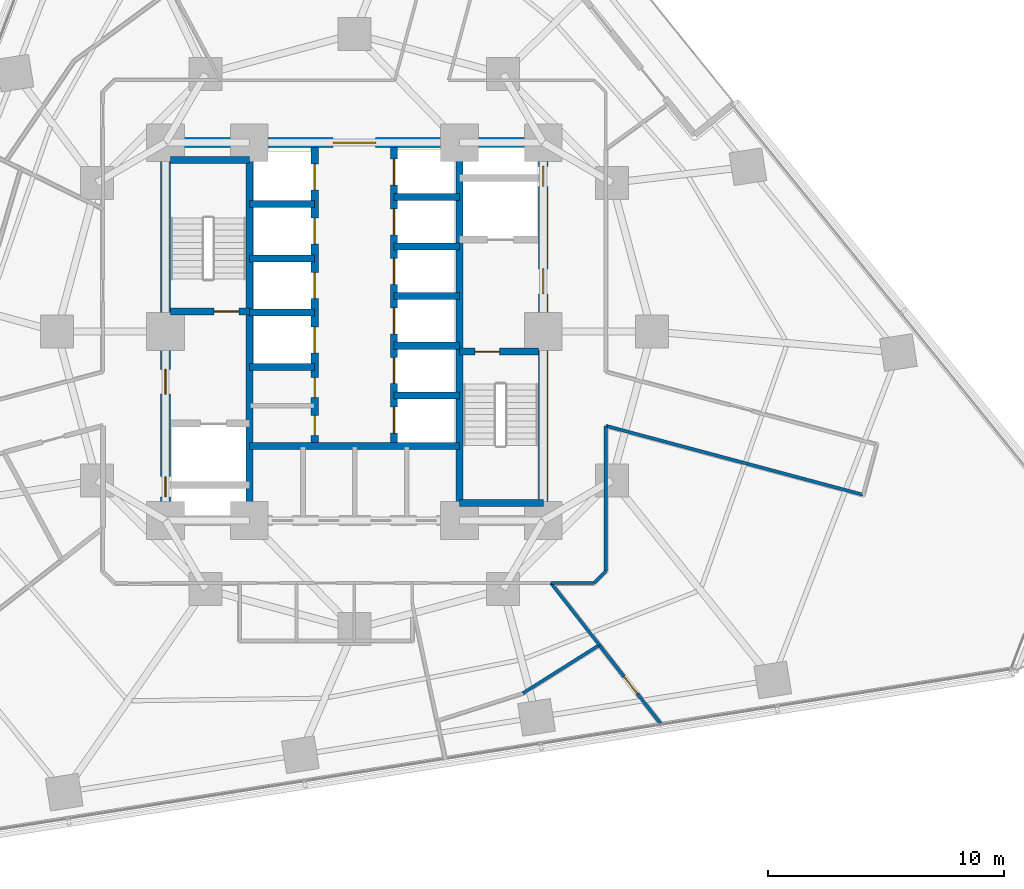
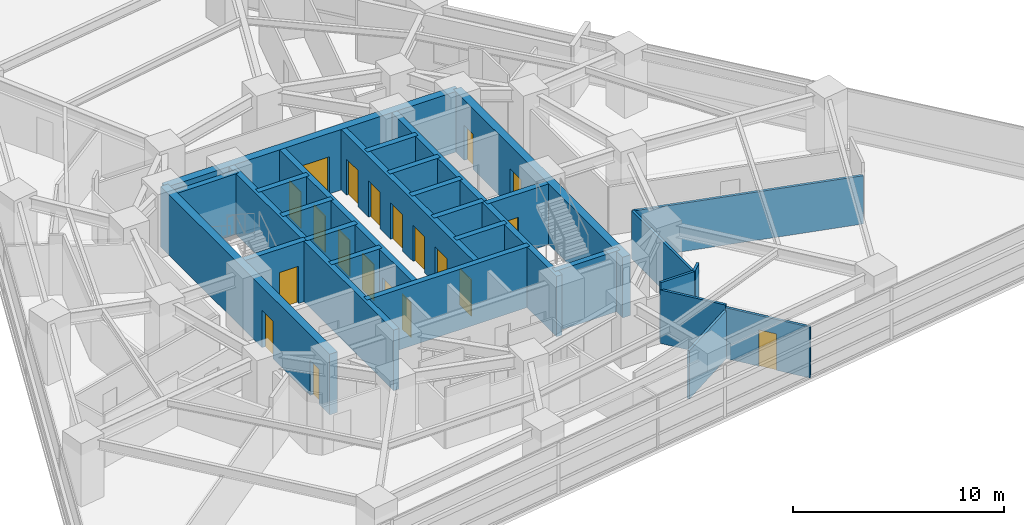
# One storey, part 8 of 13: 28 walls, 20 doors, 20 openings.
"""IFC4 building model written with IfcOpenShell, lengths in metres."""

from ifc_helpers import new_model, si_unit, direction, frame, frame_2d, origin, place, context, subcontext, project, spatial, rectangle, extrude, material, layer, layer_set, type_object, element, fill, save


model = new_model("IFC4")

# Units and contexts
model_context = context("Model", 3, precision=1e-05, world=origin(), true_north=direction((0.0, 1.0)))
body_context = subcontext(model_context, "Body", "Model", "MODEL_VIEW")
ifc_project = project(units=[si_unit("LENGTHUNIT", "METRE"), si_unit("AREAUNIT", "SQUARE_METRE"), si_unit("VOLUMEUNIT", "CUBIC_METRE"), si_unit("PLANEANGLEUNIT", "RADIAN"), si_unit("MASSUNIT", "GRAM", prefix="KILO")], contexts=[model_context])

# Site, building, storey
site_placement = place(None, origin())
site = spatial("IfcSite", under=ifc_project, at=site_placement, CompositionType="ELEMENT")
building_placement = place(site_placement, origin())
building = spatial("IfcBuilding", under=site, at=building_placement, Name="Terralouvre Media Tower", CompositionType="ELEMENT")
storey_placement = place(building_placement, frame((0.0, 0.0, 77.800048828125)))
storey = spatial("IfcBuildingStorey", under=building, at=storey_placement, Name="L19", CompositionType="ELEMENT", Elevation=77.800048828125)

# Walls
ifc_material_1 = material(Name="Concrete C50/60", Category="concrete")
ifc_layer_1 = layer(ifc_material_1, 0.300048828125, Name="Core Internal Shaft Wall CW-300")
ifc_layer_set_1 = layer_set([ifc_layer_1], Name="Concrete C50/60")
wall_type_1 = type_object("IfcWallType", Name="Core Internal Shaft Wall CW-300", PredefinedType="SHEAR", material=ifc_layer_set_1)
for number, where, z_axis, x_axis, name in (
    (1, (-4.449951171875, -7.7900390625, 0.0), (0.0, 0.0, 1.0), (0.0, 1.0, 0.0), "L19 Core Shaft Wall SPW"),
    (2, (4.449951171875, -7.7900390625, 0.0), (0.0, 0.0, 1.0), (0.0, 1.0, 0.0), "L19 Core Shaft Wall SPE"),
):
    element("IfcWall", number, at=place(storey_placement, frame(where, z_axis=z_axis, x_axis=x_axis)), inside=storey, type_object=wall_type_1, Name=name, PredefinedType="SHEAR", context=body_context, shape_type="SweptSolid", body=[
        extrude(rectangle(XDim=15.580078125, YDim=0.300048828125, at=frame_2d((7.7900390625, 0.0))), origin(), (0.0, 0.0, 1.0), 3.5),
    ])

# Wall, opening, door
wall_1_placement = place(storey_placement, frame((-7.7900390625, 0.85009765625, 0.0), z_axis=(0.0, 0.0, 1.0), x_axis=(1.0, 0.0, 0.0)))
wall_1 = element("IfcWall", 3, at=wall_1_placement, inside=storey, type_object=wall_type_1, Name="L19 Core Shaft Wall ST1D", PredefinedType="SHEAR", context=body_context, shape_type="SweptSolid", body=[
    extrude(rectangle(XDim=3.340087890625, YDim=0.300048828125, at=frame_2d((1.669921875, 0.0))), origin(), (0.0, 0.0, 1.0), 3.5),
])
opening_1_placement = place(wall_1_placement, frame((1.85009765625, 0.0, 0.0)))
opening_1 = element("IfcOpeningElement", 4, at=opening_1_placement, cuts=wall_1, Name="Opening FD-01-105X215", PredefinedType="OPENING", context=body_context, shape_type="SweptSolid", body=[
    extrude(rectangle(XDim=1.050048828125, YDim=2.14990234375, at=frame_2d((0.52490234375, 1.074951171875))), frame((0.0, 0.159912109375, 0.0), z_axis=(0.0, -1.0, 0.0), x_axis=(1.0, 0.0, 0.0)), (0.0, 0.0, 1.0), 0.320068359375),
])
ifc_material_2 = material(Name="Galvanised steel fire-resisting leaf", Category="steel")
door_type_1 = type_object("IfcDoorType", Name="Stair and Firefighting Lobby Fire Door FD-01 (1050x2150)", OperationType="NOTDEFINED", PredefinedType="DOOR", material=ifc_material_2)
door_1_placement = place(opening_1_placement, origin())
door_1 = element("IfcDoor", 5, at=door_1_placement, inside=storey, type_object=door_type_1, Name="L19 ST-01 Exit Stair Door", OperationType="SINGLE_SWING_LEFT", OverallHeight=2.14990234375, OverallWidth=1.050048828125, PredefinedType="DOOR", context=body_context, shape_type="SweptSolid", body=[
    extrude(rectangle(XDim=1.050048828125, YDim=2.14990234375, at=frame_2d((0.52490234375, 1.074951171875))), frame((0.0, 0.02490234375, 0.0), z_axis=(0.0, -1.0, 0.0), x_axis=(1.0, 0.0, 0.0)), (0.0, 0.0, 1.0), 0.050048828125),
])
fill(opening_1, door_1)

# Wall
wall_2_placement = place(storey_placement, frame((-7.7900390625, 7.260009765625, 0.0), z_axis=(0.0, 0.0, 1.0), x_axis=(1.0, 0.0, 0.0)))
element("IfcWall", 6, at=wall_2_placement, inside=storey, type_object=wall_type_1, Name="L19 Core Shaft Wall ST1F", PredefinedType="SHEAR", context=body_context, shape_type="SweptSolid", body=[
    extrude(rectangle(XDim=3.340087890625, YDim=0.300048828125, at=frame_2d((1.669921875, 0.0))), origin(), (0.0, 0.0, 1.0), 3.5),
])

# Wall, opening, door
wall_3_placement = place(storey_placement, frame((4.449951171875, -0.85009765625, 0.0), z_axis=(0.0, 0.0, 1.0), x_axis=(1.0, 0.0, 0.0)))
wall_3 = element("IfcWall", 7, at=wall_3_placement, inside=storey, type_object=wall_type_1, Name="L19 Core Shaft Wall ST2D", PredefinedType="SHEAR", context=body_context, shape_type="SweptSolid", body=[
    extrude(rectangle(XDim=3.340087890625, YDim=0.300048828125, at=frame_2d((1.669921875, 0.0))), origin(), (0.0, 0.0, 1.0), 3.5),
])
opening_2_placement = place(wall_3_placement, frame((0.64990234375, 0.0, 0.0)))
opening_2 = element("IfcOpeningElement", 8, at=opening_2_placement, cuts=wall_3, Name="Opening FD-01-105X215", PredefinedType="OPENING", context=body_context, shape_type="SweptSolid", body=[
    extrude(rectangle(XDim=1.050048828125, YDim=2.14990234375, at=frame_2d((0.52490234375, 1.074951171875))), frame((0.0, 0.159912109375, 0.0), z_axis=(0.0, -1.0, 0.0), x_axis=(1.0, 0.0, 0.0)), (0.0, 0.0, 1.0), 0.320068359375),
])
door_2_placement = place(opening_2_placement, origin())
door_2 = element("IfcDoor", 9, at=door_2_placement, inside=storey, type_object=door_type_1, Name="L19 ST-02 Exit Stair Door", OperationType="SINGLE_SWING_RIGHT", OverallHeight=2.14990234375, OverallWidth=1.050048828125, PredefinedType="DOOR", context=body_context, shape_type="SweptSolid", body=[
    extrude(rectangle(XDim=1.050048828125, YDim=2.14990234375, at=frame_2d((0.52490234375, 1.074951171875))), frame((0.0, 0.02490234375, 0.0), z_axis=(0.0, -1.0, 0.0), x_axis=(1.0, 0.0, 0.0)), (0.0, 0.0, 1.0), 0.050048828125),
])
fill(opening_2, door_2)

# Walls
wall_4_placement = place(storey_placement, frame((4.449951171875, -7.260009765625, 0.0), z_axis=(0.0, 0.0, 1.0), x_axis=(1.0, 0.0, 0.0)))
element("IfcWall", 10, at=wall_4_placement, inside=storey, type_object=wall_type_1, Name="L19 Core Shaft Wall ST2F", PredefinedType="SHEAR", context=body_context, shape_type="SweptSolid", body=[
    extrude(rectangle(XDim=3.550048828125, YDim=0.300048828125, at=frame_2d((1.77490234375, 0.0))), origin(), (0.0, 0.0, 1.0), 3.5),
])
wall_5_placement = place(storey_placement, frame((-4.449951171875, -4.85009765625, 0.0), z_axis=(0.0, 0.0, 1.0), x_axis=(1.0, 0.0, 0.0)))
element("IfcWall", 11, at=wall_5_placement, inside=storey, type_object=wall_type_1, Name="L19 Core Shaft Wall CSBN", PredefinedType="SHEAR", context=body_context, shape_type="SweptSolid", body=[
    extrude(rectangle(XDim=8.89990234375, YDim=0.300048828125, at=frame_2d((4.449951171875, 0.0))), origin(), (0.0, 0.0, 1.0), 3.5),
])

# Wall, openings, doors
wall_6_placement = place(storey_placement, frame((-1.679931640625, -4.85009765625, 0.0), z_axis=(0.0, 0.0, 1.0), x_axis=(0.0, 1.0, 0.0)))
wall_6 = element("IfcWall", 12, at=wall_6_placement, inside=storey, type_object=wall_type_1, Name="L19 Core Shaft Wall LBW", PredefinedType="SHEAR", context=body_context, shape_type="SweptSolid", body=[
    extrude(rectangle(XDim=12.64013671875, YDim=0.300048828125, at=frame_2d((6.320068359375, 0.0))), origin(), (0.0, 0.0, 1.0), 3.5),
])
opening_3_placement = place(wall_6_placement, frame((3.949951171875, 0.0, 0.0)))
opening_3 = element("IfcOpeningElement", 13, at=opening_3_placement, cuts=wall_6, Name="Opening LD-PL", PredefinedType="OPENING", context=body_context, shape_type="SweptSolid", body=[
    extrude(rectangle(XDim=1.10009765625, YDim=2.10009765625, at=frame_2d((0.550048828125, 1.050048828125))), frame((0.0, 0.159912109375, 0.0), z_axis=(0.0, -1.0, 0.0), x_axis=(1.0, 0.0, 0.0)), (0.0, 0.0, 1.0), 0.320068359375),
])
opening_4_placement = place(wall_6_placement, frame((6.25, 0.0, 0.0)))
opening_4 = element("IfcOpeningElement", 14, at=opening_4_placement, cuts=wall_6, Name="Opening LD-PL", PredefinedType="OPENING", context=body_context, shape_type="SweptSolid", body=[
    extrude(rectangle(XDim=1.10009765625, YDim=2.10009765625, at=frame_2d((0.550048828125, 1.050048828125))), frame((0.0, 0.159912109375, 0.0), z_axis=(0.0, -1.0, 0.0), x_axis=(1.0, 0.0, 0.0)), (0.0, 0.0, 1.0), 0.320068359375),
])
opening_5_placement = place(wall_6_placement, frame((8.550048828125, 0.0, 0.0)))
opening_5 = element("IfcOpeningElement", 15, at=opening_5_placement, cuts=wall_6, Name="Opening LD-PL", PredefinedType="OPENING", context=body_context, shape_type="SweptSolid", body=[
    extrude(rectangle(XDim=1.10009765625, YDim=2.10009765625, at=frame_2d((0.550048828125, 1.050048828125))), frame((0.0, 0.159912109375, 0.0), z_axis=(0.0, -1.0, 0.0), x_axis=(1.0, 0.0, 0.0)), (0.0, 0.0, 1.0), 0.320068359375),
])
opening_6_placement = place(wall_6_placement, frame((10.85009765625, 0.0, 0.0)))
opening_6 = element("IfcOpeningElement", 16, at=opening_6_placement, cuts=wall_6, Name="Opening LD-PL", PredefinedType="OPENING", context=body_context, shape_type="SweptSolid", body=[
    extrude(rectangle(XDim=1.10009765625, YDim=2.10009765625, at=frame_2d((0.550048828125, 1.050048828125))), frame((0.0, 0.159912109375, 0.0), z_axis=(0.0, -1.0, 0.0), x_axis=(1.0, 0.0, 0.0)), (0.0, 0.0, 1.0), 0.320068359375),
])
opening_7_placement = place(wall_6_placement, frame((0.449951171875, 0.0, 0.0)))
opening_7 = element("IfcOpeningElement", 17, at=opening_7_placement, cuts=wall_6, Name="Opening TD-R1", PredefinedType="OPENING", context=body_context, shape_type="SweptSolid", body=[
    extrude(rectangle(XDim=0.85009765625, YDim=2.02001953125, at=frame_2d((0.425048828125, 1.010009765625))), frame((0.0, 0.159912109375, 0.0), z_axis=(0.0, -1.0, 0.0), x_axis=(1.0, 0.0, 0.0)), (0.0, 0.0, 1.0), 0.320068359375),
])
opening_8_placement = place(wall_6_placement, frame((2.050048828125, 0.0, 0.0)))
opening_8 = element("IfcOpeningElement", 18, at=opening_8_placement, cuts=wall_6, Name="Opening TD-R1", PredefinedType="OPENING", context=body_context, shape_type="SweptSolid", body=[
    extrude(rectangle(XDim=0.85009765625, YDim=2.02001953125, at=frame_2d((0.425048828125, 1.010009765625))), frame((0.0, 0.159912109375, 0.0), z_axis=(0.0, -1.0, 0.0), x_axis=(1.0, 0.0, 0.0)), (0.0, 0.0, 1.0), 0.320068359375),
])
ifc_material_3 = material(Name="Stainless steel 316 handrail and balustrade", Category="steel")
door_type_2 = type_object("IfcDoorType", Name="Passenger Lift Sliding Landing Door LD-PL", OperationType="SLIDING_TO_LEFT", PredefinedType="DOOR", material=ifc_material_3)
door_3_placement = place(opening_3_placement, origin())
door_3 = element("IfcDoor", 19, at=door_3_placement, inside=storey, type_object=door_type_2, Name="L19 Low-Rise Lift PL-L1 Landing Door", OperationType="SLIDING_TO_LEFT", OverallHeight=2.10009765625, OverallWidth=1.10009765625, PredefinedType="DOOR", context=body_context, shape_type="SweptSolid", body=[
    extrude(rectangle(XDim=1.10009765625, YDim=2.10009765625, at=frame_2d((0.550048828125, 1.050048828125))), frame((0.0, 0.02490234375, 0.0), z_axis=(0.0, -1.0, 0.0), x_axis=(1.0, 0.0, 0.0)), (0.0, 0.0, 1.0), 0.050048828125),
])
fill(opening_3, door_3)
door_4_placement = place(opening_4_placement, origin())
door_4 = element("IfcDoor", 20, at=door_4_placement, inside=storey, type_object=door_type_2, Name="L19 Low-Rise Lift PL-L2 Landing Door", OperationType="SLIDING_TO_LEFT", OverallHeight=2.10009765625, OverallWidth=1.10009765625, PredefinedType="DOOR", context=body_context, shape_type="SweptSolid", body=[
    extrude(rectangle(XDim=1.10009765625, YDim=2.10009765625, at=frame_2d((0.550048828125, 1.050048828125))), frame((0.0, 0.02490234375, 0.0), z_axis=(0.0, -1.0, 0.0), x_axis=(1.0, 0.0, 0.0)), (0.0, 0.0, 1.0), 0.050048828125),
])
fill(opening_4, door_4)
door_5_placement = place(opening_5_placement, origin())
door_5 = element("IfcDoor", 21, at=door_5_placement, inside=storey, type_object=door_type_2, Name="L19 Low-Rise Lift PL-L3 Landing Door", OperationType="SLIDING_TO_LEFT", OverallHeight=2.10009765625, OverallWidth=1.10009765625, PredefinedType="DOOR", context=body_context, shape_type="SweptSolid", body=[
    extrude(rectangle(XDim=1.10009765625, YDim=2.10009765625, at=frame_2d((0.550048828125, 1.050048828125))), frame((0.0, 0.02490234375, 0.0), z_axis=(0.0, -1.0, 0.0), x_axis=(1.0, 0.0, 0.0)), (0.0, 0.0, 1.0), 0.050048828125),
])
fill(opening_5, door_5)
door_6_placement = place(opening_6_placement, origin())
door_6 = element("IfcDoor", 22, at=door_6_placement, inside=storey, type_object=door_type_2, Name="L19 Low-Rise Lift PL-L4 Landing Door", OperationType="SLIDING_TO_LEFT", OverallHeight=2.10009765625, OverallWidth=1.10009765625, PredefinedType="DOOR", context=body_context, shape_type="SweptSolid", body=[
    extrude(rectangle(XDim=1.10009765625, YDim=2.10009765625, at=frame_2d((0.550048828125, 1.050048828125))), frame((0.0, 0.02490234375, 0.0), z_axis=(0.0, -1.0, 0.0), x_axis=(1.0, 0.0, 0.0)), (0.0, 0.0, 1.0), 0.050048828125),
])
fill(opening_6, door_6)
ifc_material_4 = material(Name="Galvanised steel fire-resisting leaf", Category="steel")
door_type_3 = type_object("IfcDoorType", Name="Riser Inspection Access Trapdoor TD-R1", OperationType="NOTDEFINED", PredefinedType="TRAPDOOR", material=ifc_material_4)
door_7_placement = place(opening_7_placement, origin())
door_7 = element("IfcDoor", 23, at=door_7_placement, inside=storey, type_object=door_type_3, Name="L19 Core Cleaners Closet Door", OperationType="SINGLE_SWING_LEFT", OverallHeight=2.02001953125, OverallWidth=0.85009765625, PredefinedType="TRAPDOOR", context=body_context, shape_type="SweptSolid", body=[
    extrude(rectangle(XDim=0.85009765625, YDim=2.02001953125, at=frame_2d((0.425048828125, 1.010009765625))), frame((0.0, 0.02490234375, 0.0), z_axis=(0.0, -1.0, 0.0), x_axis=(1.0, 0.0, 0.0)), (0.0, 0.0, 1.0), 0.050048828125),
])
fill(opening_7, door_7)
door_8_placement = place(opening_8_placement, origin())
door_8 = element("IfcDoor", 24, at=door_8_placement, inside=storey, type_object=door_type_3, Name="L19 Core Metering Closet Door", OperationType="SINGLE_SWING_RIGHT", OverallHeight=2.02001953125, OverallWidth=0.85009765625, PredefinedType="TRAPDOOR", context=body_context, shape_type="SweptSolid", body=[
    extrude(rectangle(XDim=0.85009765625, YDim=2.02001953125, at=frame_2d((0.425048828125, 1.010009765625))), frame((0.0, 0.02490234375, 0.0), z_axis=(0.0, -1.0, 0.0), x_axis=(1.0, 0.0, 0.0)), (0.0, 0.0, 1.0), 0.050048828125),
])
fill(opening_8, door_8)

wall_7_placement = place(storey_placement, frame((1.679931640625, -4.85009765625, 0.0), z_axis=(0.0, 0.0, 1.0), x_axis=(0.0, 1.0, 0.0)))
wall_7 = element("IfcWall", 25, at=wall_7_placement, inside=storey, type_object=wall_type_1, Name="L19 Core Shaft Wall LBE", PredefinedType="SHEAR", context=body_context, shape_type="SweptSolid", body=[
    extrude(rectangle(XDim=12.64013671875, YDim=0.300048828125, at=frame_2d((6.320068359375, 0.0))), origin(), (0.0, 0.0, 1.0), 3.5),
])
opening_9_placement = place(wall_7_placement, frame((0.550048828125, 0.0, 0.0)))
opening_9 = element("IfcOpeningElement", 26, at=opening_9_placement, cuts=wall_7, Name="Opening LD-PL", PredefinedType="OPENING", context=body_context, shape_type="SweptSolid", body=[
    extrude(rectangle(XDim=1.10009765625, YDim=2.10009765625, at=frame_2d((0.550048828125, 1.050048828125))), frame((0.0, 0.159912109375, 0.0), z_axis=(0.0, -1.0, 0.0), x_axis=(1.0, 0.0, 0.0)), (0.0, 0.0, 1.0), 0.320068359375),
])
opening_10_placement = place(wall_7_placement, frame((2.64990234375, 0.0, 0.0)))
opening_10 = element("IfcOpeningElement", 27, at=opening_10_placement, cuts=wall_7, Name="Opening LD-PL", PredefinedType="OPENING", context=body_context, shape_type="SweptSolid", body=[
    extrude(rectangle(XDim=1.10009765625, YDim=2.10009765625, at=frame_2d((0.550048828125, 1.050048828125))), frame((0.0, 0.159912109375, 0.0), z_axis=(0.0, -1.0, 0.0), x_axis=(1.0, 0.0, 0.0)), (0.0, 0.0, 1.0), 0.320068359375),
])
opening_11_placement = place(wall_7_placement, frame((4.75, 0.0, 0.0)))
opening_11 = element("IfcOpeningElement", 28, at=opening_11_placement, cuts=wall_7, Name="Opening LD-PL", PredefinedType="OPENING", context=body_context, shape_type="SweptSolid", body=[
    extrude(rectangle(XDim=1.10009765625, YDim=2.10009765625, at=frame_2d((0.550048828125, 1.050048828125))), frame((0.0, 0.159912109375, 0.0), z_axis=(0.0, -1.0, 0.0), x_axis=(1.0, 0.0, 0.0)), (0.0, 0.0, 1.0), 0.320068359375),
])
opening_12_placement = place(wall_7_placement, frame((6.85009765625, 0.0, 0.0)))
opening_12 = element("IfcOpeningElement", 29, at=opening_12_placement, cuts=wall_7, Name="Opening LD-PL", PredefinedType="OPENING", context=body_context, shape_type="SweptSolid", body=[
    extrude(rectangle(XDim=1.10009765625, YDim=2.10009765625, at=frame_2d((0.550048828125, 1.050048828125))), frame((0.0, 0.159912109375, 0.0), z_axis=(0.0, -1.0, 0.0), x_axis=(1.0, 0.0, 0.0)), (0.0, 0.0, 1.0), 0.320068359375),
])
opening_13_placement = place(wall_7_placement, frame((8.949951171875, 0.0, 0.0)))
opening_13 = element("IfcOpeningElement", 30, at=opening_13_placement, cuts=wall_7, Name="Opening LD-PL", PredefinedType="OPENING", context=body_context, shape_type="SweptSolid", body=[
    extrude(rectangle(XDim=1.10009765625, YDim=2.10009765625, at=frame_2d((0.550048828125, 1.050048828125))), frame((0.0, 0.159912109375, 0.0), z_axis=(0.0, -1.0, 0.0), x_axis=(1.0, 0.0, 0.0)), (0.0, 0.0, 1.0), 0.320068359375),
])
opening_14_placement = place(wall_7_placement, frame((11.050048828125, 0.0, 0.0)))
opening_14 = element("IfcOpeningElement", 31, at=opening_14_placement, cuts=wall_7, Name="Opening LD-PL", PredefinedType="OPENING", context=body_context, shape_type="SweptSolid", body=[
    extrude(rectangle(XDim=1.10009765625, YDim=2.10009765625, at=frame_2d((0.550048828125, 1.050048828125))), frame((0.0, 0.159912109375, 0.0), z_axis=(0.0, -1.0, 0.0), x_axis=(1.0, 0.0, 0.0)), (0.0, 0.0, 1.0), 0.320068359375),
])
door_9_placement = place(opening_9_placement, origin())
door_9 = element("IfcDoor", 32, at=door_9_placement, inside=storey, type_object=door_type_2, Name="L19 High-Rise Lift PL-H1 Landing Door", OperationType="SLIDING_TO_LEFT", OverallHeight=2.10009765625, OverallWidth=1.10009765625, PredefinedType="DOOR", context=body_context, shape_type="SweptSolid", body=[
    extrude(rectangle(XDim=1.10009765625, YDim=2.10009765625, at=frame_2d((0.550048828125, 1.050048828125))), frame((0.0, 0.02490234375, 0.0), z_axis=(0.0, -1.0, 0.0), x_axis=(1.0, 0.0, 0.0)), (0.0, 0.0, 1.0), 0.050048828125),
])
fill(opening_9, door_9)
door_10_placement = place(opening_10_placement, origin())
door_10 = element("IfcDoor", 33, at=door_10_placement, inside=storey, type_object=door_type_2, Name="L19 High-Rise Lift PL-H2 Landing Door", OperationType="SLIDING_TO_LEFT", OverallHeight=2.10009765625, OverallWidth=1.10009765625, PredefinedType="DOOR", context=body_context, shape_type="SweptSolid", body=[
    extrude(rectangle(XDim=1.10009765625, YDim=2.10009765625, at=frame_2d((0.550048828125, 1.050048828125))), frame((0.0, 0.02490234375, 0.0), z_axis=(0.0, -1.0, 0.0), x_axis=(1.0, 0.0, 0.0)), (0.0, 0.0, 1.0), 0.050048828125),
])
fill(opening_10, door_10)
door_11_placement = place(opening_11_placement, origin())
door_11 = element("IfcDoor", 34, at=door_11_placement, inside=storey, type_object=door_type_2, Name="L19 High-Rise Lift PL-H3 Landing Door", OperationType="SLIDING_TO_LEFT", OverallHeight=2.10009765625, OverallWidth=1.10009765625, PredefinedType="DOOR", context=body_context, shape_type="SweptSolid", body=[
    extrude(rectangle(XDim=1.10009765625, YDim=2.10009765625, at=frame_2d((0.550048828125, 1.050048828125))), frame((0.0, 0.02490234375, 0.0), z_axis=(0.0, -1.0, 0.0), x_axis=(1.0, 0.0, 0.0)), (0.0, 0.0, 1.0), 0.050048828125),
])
fill(opening_11, door_11)
door_12_placement = place(opening_12_placement, origin())
door_12 = element("IfcDoor", 35, at=door_12_placement, inside=storey, type_object=door_type_2, Name="L19 Mid-Rise Lift PL-M1 Landing Door", OperationType="SLIDING_TO_LEFT", OverallHeight=2.10009765625, OverallWidth=1.10009765625, PredefinedType="DOOR", context=body_context, shape_type="SweptSolid", body=[
    extrude(rectangle(XDim=1.10009765625, YDim=2.10009765625, at=frame_2d((0.550048828125, 1.050048828125))), frame((0.0, 0.02490234375, 0.0), z_axis=(0.0, -1.0, 0.0), x_axis=(1.0, 0.0, 0.0)), (0.0, 0.0, 1.0), 0.050048828125),
])
fill(opening_12, door_12)
door_13_placement = place(opening_13_placement, origin())
door_13 = element("IfcDoor", 36, at=door_13_placement, inside=storey, type_object=door_type_2, Name="L19 Mid-Rise Lift PL-M2 Landing Door", OperationType="SLIDING_TO_LEFT", OverallHeight=2.10009765625, OverallWidth=1.10009765625, PredefinedType="DOOR", context=body_context, shape_type="SweptSolid", body=[
    extrude(rectangle(XDim=1.10009765625, YDim=2.10009765625, at=frame_2d((0.550048828125, 1.050048828125))), frame((0.0, 0.02490234375, 0.0), z_axis=(0.0, -1.0, 0.0), x_axis=(1.0, 0.0, 0.0)), (0.0, 0.0, 1.0), 0.050048828125),
])
fill(opening_13, door_13)
door_14_placement = place(opening_14_placement, origin())
door_14 = element("IfcDoor", 37, at=door_14_placement, inside=storey, type_object=door_type_2, Name="L19 Mid-Rise Lift PL-M3 Landing Door", OperationType="SLIDING_TO_LEFT", OverallHeight=2.10009765625, OverallWidth=1.10009765625, PredefinedType="DOOR", context=body_context, shape_type="SweptSolid", body=[
    extrude(rectangle(XDim=1.10009765625, YDim=2.10009765625, at=frame_2d((0.550048828125, 1.050048828125))), frame((0.0, 0.02490234375, 0.0), z_axis=(0.0, -1.0, 0.0), x_axis=(1.0, 0.0, 0.0)), (0.0, 0.0, 1.0), 0.050048828125),
])
fill(opening_14, door_14)

# Walls
for number, where, z_axis, x_axis, name in (
    (38, (-4.449951171875, -1.5, 0.0), (0.0, 0.0, 1.0), (1.0, 0.0, 0.0), "L19 Core Shaft Wall PLLD0"),
    (39, (-4.449951171875, 0.800048828125, 0.0), (0.0, 0.0, 1.0), (1.0, 0.0, 0.0), "L19 Core Shaft Wall PLLD1"),
    (40, (-4.449951171875, 3.10009765625, 0.0), (0.0, 0.0, 1.0), (1.0, 0.0, 0.0), "L19 Core Shaft Wall PLLD2"),
    (41, (-4.449951171875, 5.39990234375, 0.0), (0.0, 0.0, 1.0), (1.0, 0.0, 0.0), "L19 Core Shaft Wall PLLD3"),
    (42, (1.679931640625, 1.5, 0.0), (0.0, 0.0, 1.0), (1.0, 0.0, 0.0), "L19 Core Shaft Wall PLMD0"),
    (43, (1.679931640625, 3.60009765625, 0.0), (0.0, 0.0, 1.0), (1.0, 0.0, 0.0), "L19 Core Shaft Wall PLMD1"),
    (44, (1.679931640625, 5.699951171875, 0.0), (0.0, 0.0, 1.0), (1.0, 0.0, 0.0), "L19 Core Shaft Wall PLMD2"),
    (45, (1.679931640625, -2.699951171875, 0.0), (0.0, 0.0, 1.0), (1.0, 0.0, 0.0), "L19 Core Shaft Wall PLHD1"),
    (46, (1.679931640625, -0.60009765625, 0.0), (0.0, 0.0, 1.0), (1.0, 0.0, 0.0), "L19 Core Shaft Wall PLHD2"),
):
    element("IfcWall", number, at=place(storey_placement, frame(where, z_axis=z_axis, x_axis=x_axis)), inside=storey, type_object=wall_type_1, Name=name, PredefinedType="SHEAR", context=body_context, shape_type="SweptSolid", body=[
        extrude(rectangle(XDim=2.77001953125, YDim=0.300048828125, at=frame_2d((1.385009765625, 0.0))), origin(), (0.0, 0.0, 1.0), 3.5),
    ])

# Wall, openings, doors
ifc_material_5 = material(Name="Concrete C60/75", Category="concrete")
ifc_layer_2 = layer(ifc_material_5, 0.419921875, Name="Core Reinforced Concrete Shear Wall CW-420")
ifc_layer_set_2 = layer_set([ifc_layer_2], Name="Concrete C60/75")
wall_type_2 = type_object("IfcWallType", Name="Core Reinforced Concrete Shear Wall CW-420", PredefinedType="SHEAR", material=ifc_layer_set_2)
wall_8_placement = place(storey_placement, frame((-8.0, -8.0, 0.0), z_axis=(0.0, 0.0, 1.0), x_axis=(0.0, 1.0, 0.0)))
wall_8 = element("IfcWall", 47, at=wall_8_placement, inside=storey, type_object=wall_type_2, Name="L19 W Core Shear Wall", PredefinedType="SHEAR", context=body_context, shape_type="SweptSolid", body=[
    extrude(rectangle(XDim=16.0, YDim=0.419921875, at=frame_2d((8.0, 0.0))), origin(), (0.0, 0.0, 1.0), 3.5),
])
opening_15_placement = place(wall_8_placement, frame((1.001708984375, 0.0, 0.0)))
opening_15 = element("IfcOpeningElement", 48, at=opening_15_placement, cuts=wall_8, Name="Opening TD-R1", PredefinedType="OPENING", context=body_context, shape_type="SweptSolid", body=[
    extrude(rectangle(XDim=0.85009765625, YDim=2.02001953125, at=frame_2d((0.425048828125, 1.010009765625))), frame((0.0, 0.219970703125, 0.0), z_axis=(0.0, -1.0, 0.0), x_axis=(1.0, 0.0, 0.0)), (0.0, 0.0, 1.0), 0.43994140625),
])
opening_16_placement = place(wall_8_placement, frame((5.35009765625, 0.0, 0.0)))
opening_16 = element("IfcOpeningElement", 49, at=opening_16_placement, cuts=wall_8, Name="Opening FD-01-105X215", PredefinedType="OPENING", context=body_context, shape_type="SweptSolid", body=[
    extrude(rectangle(XDim=1.050048828125, YDim=2.14990234375, at=frame_2d((0.52490234375, 1.074951171875))), frame((0.0, 0.219970703125, 0.0), z_axis=(0.0, -1.0, 0.0), x_axis=(1.0, 0.0, 0.0)), (0.0, 0.0, 1.0), 0.43994140625),
])
door_15_placement = place(opening_15_placement, origin())
door_15 = element("IfcDoor", 50, at=door_15_placement, inside=storey, type_object=door_type_3, Name="L19 Wet Riser Access Trapdoor", OperationType="SINGLE_SWING_LEFT", OverallHeight=2.02001953125, OverallWidth=0.85009765625, PredefinedType="TRAPDOOR", context=body_context, shape_type="SweptSolid", body=[
    extrude(rectangle(XDim=0.85009765625, YDim=2.02001953125, at=frame_2d((0.425048828125, 1.010009765625))), frame((0.0, 0.02490234375, 0.0), z_axis=(0.0, -1.0, 0.0), x_axis=(1.0, 0.0, 0.0)), (0.0, 0.0, 1.0), 0.050048828125),
])
fill(opening_15, door_15)
door_16_placement = place(opening_16_placement, origin())
door_16 = element("IfcDoor", 51, at=door_16_placement, inside=storey, type_object=door_type_1, Name="L19 West Firefighting Lobby Entry Door", OperationType="SINGLE_SWING_RIGHT", OverallHeight=2.14990234375, OverallWidth=1.050048828125, PredefinedType="DOOR", context=body_context, shape_type="SweptSolid", body=[
    extrude(rectangle(XDim=1.050048828125, YDim=2.14990234375, at=frame_2d((0.52490234375, 1.074951171875))), frame((0.0, 0.02490234375, 0.0), z_axis=(0.0, -1.0, 0.0), x_axis=(1.0, 0.0, 0.0)), (0.0, 0.0, 1.0), 0.050048828125),
])
fill(opening_16, door_16)

wall_9_placement = place(storey_placement, frame((8.0, -8.0, 0.0), z_axis=(0.0, 0.0, 1.0), x_axis=(0.0, 1.0, 0.0)))
wall_9 = element("IfcWall", 52, at=wall_9_placement, inside=storey, type_object=wall_type_2, Name="L19 E Core Shear Wall", PredefinedType="SHEAR", context=body_context, shape_type="SweptSolid", body=[
    extrude(rectangle(XDim=16.0, YDim=0.419921875, at=frame_2d((8.0, 0.0))), origin(), (0.0, 0.0, 1.0), 3.5),
])
opening_17_placement = place(wall_9_placement, frame((9.60009765625, 0.0, 0.0)))
opening_17 = element("IfcOpeningElement", 53, at=opening_17_placement, cuts=wall_9, Name="Opening FD-01-105X215", PredefinedType="OPENING", context=body_context, shape_type="SweptSolid", body=[
    extrude(rectangle(XDim=1.050048828125, YDim=2.14990234375, at=frame_2d((0.52490234375, 1.074951171875))), frame((0.0, 0.219970703125, 0.0), z_axis=(0.0, -1.0, 0.0), x_axis=(1.0, 0.0, 0.0)), (0.0, 0.0, 1.0), 0.43994140625),
])
opening_18_placement = place(wall_9_placement, frame((14.148193359375, 0.0, 0.0)))
opening_18 = element("IfcOpeningElement", 54, at=opening_18_placement, cuts=wall_9, Name="Opening TD-R1", PredefinedType="OPENING", context=body_context, shape_type="SweptSolid", body=[
    extrude(rectangle(XDim=0.85009765625, YDim=2.02001953125, at=frame_2d((0.425048828125, 1.010009765625))), frame((0.0, 0.219970703125, 0.0), z_axis=(0.0, -1.0, 0.0), x_axis=(1.0, 0.0, 0.0)), (0.0, 0.0, 1.0), 0.43994140625),
])
door_17_placement = place(opening_18_placement, origin())
door_17 = element("IfcDoor", 55, at=door_17_placement, inside=storey, type_object=door_type_3, Name="L19 East Comms Riser Access Trapdoor", OperationType="SINGLE_SWING_RIGHT", OverallHeight=2.02001953125, OverallWidth=0.85009765625, PredefinedType="TRAPDOOR", context=body_context, shape_type="SweptSolid", body=[
    extrude(rectangle(XDim=0.85009765625, YDim=2.02001953125, at=frame_2d((0.425048828125, 1.010009765625))), frame((0.0, 0.02490234375, 0.0), z_axis=(0.0, -1.0, 0.0), x_axis=(1.0, 0.0, 0.0)), (0.0, 0.0, 1.0), 0.050048828125),
])
fill(opening_18, door_17)
door_18_placement = place(opening_17_placement, origin())
door_18 = element("IfcDoor", 56, at=door_18_placement, inside=storey, type_object=door_type_1, Name="L19 East Firefighting Lobby Entry Door", OperationType="SINGLE_SWING_LEFT", OverallHeight=2.14990234375, OverallWidth=1.050048828125, PredefinedType="DOOR", context=body_context, shape_type="SweptSolid", body=[
    extrude(rectangle(XDim=1.050048828125, YDim=2.14990234375, at=frame_2d((0.52490234375, 1.074951171875))), frame((0.0, 0.02490234375, 0.0), z_axis=(0.0, -1.0, 0.0), x_axis=(1.0, 0.0, 0.0)), (0.0, 0.0, 1.0), 0.050048828125),
])
fill(opening_17, door_18)

# Wall, opening, door
wall_10_placement = place(storey_placement, frame((-8.0, 8.0, 0.0), z_axis=(0.0, 0.0, 1.0), x_axis=(1.0, 0.0, 0.0)))
wall_10 = element("IfcWall", 57, at=wall_10_placement, inside=storey, type_object=wall_type_2, Name="L19 N Core Shear Wall", PredefinedType="SHEAR", context=body_context, shape_type="SweptSolid", body=[
    extrude(rectangle(XDim=16.0, YDim=0.419921875, at=frame_2d((8.0, 0.0))), origin(), (0.0, 0.0, 1.0), 3.5),
])
opening_19_placement = place(wall_10_placement, frame((7.10009765625, 0.0, 0.0)))
opening_19 = element("IfcOpeningElement", 58, at=opening_19_placement, cuts=wall_10, Name="Opening FD-03", PredefinedType="OPENING", context=body_context, shape_type="SweptSolid", body=[
    extrude(rectangle(XDim=1.800048828125, YDim=2.14990234375, at=frame_2d((0.89990234375, 1.074951171875))), frame((0.0, 0.219970703125, 0.0), z_axis=(0.0, -1.0, 0.0), x_axis=(1.0, 0.0, 0.0)), (0.0, 0.0, 1.0), 0.43994140625),
])
ifc_material_6 = material(Name="Galvanised steel fire-resisting leaf", Category="steel")
door_type_4 = type_object("IfcDoorType", Name="Corridor Smoke-Control Double Door FD-03", OperationType="DOUBLE_DOOR_SINGLE_SWING", PredefinedType="DOOR", material=ifc_material_6)
door_19_placement = place(opening_19_placement, origin())
door_19 = element("IfcDoor", 59, at=door_19_placement, inside=storey, type_object=door_type_4, Name="L19 Central Lift Lobby Portal Door", OperationType="DOUBLE_DOOR_SINGLE_SWING", OverallHeight=2.14990234375, OverallWidth=1.800048828125, PredefinedType="DOOR", context=body_context, shape_type="SweptSolid", body=[
    extrude(rectangle(XDim=1.800048828125, YDim=2.14990234375, at=frame_2d((0.89990234375, 1.074951171875))), frame((0.0, 0.02490234375, 0.0), z_axis=(0.0, -1.0, 0.0), x_axis=(1.0, 0.0, 0.0)), (0.0, 0.0, 1.0), 0.050048828125),
])
fill(opening_19, door_19)

# Walls
ifc_material_7 = material(Name="Fire-rated gypsum board drywall partition")
ifc_layer_3 = layer(ifc_material_7, 0.135009765625, Name="Newsroom Acoustic Partition PT-135")
ifc_layer_set_3 = layer_set([ifc_layer_3], Name="Fire-rated gypsum board drywall partition")
wall_type_3 = type_object("IfcWallType", Name="Newsroom Acoustic Partition PT-135", PredefinedType="PARTITIONING", material=ifc_layer_set_3)
wall_11_placement = place(storey_placement, frame((8.321044921875, -10.64990234375, 0.0), z_axis=(0.0, 0.0, 1.0), x_axis=(1.0, 0.0, 0.0)))
element("IfcWall", 60, at=wall_11_placement, inside=storey, type_object=wall_type_3, Name="L19 Interior Partition 001", PredefinedType="PARTITIONING", context=body_context, shape_type="SweptSolid", body=[
    extrude(rectangle(XDim=1.828857421875, YDim=0.135009765625, at=frame_2d((0.91455078125, 0.0))), origin(), (0.0, 0.0, 1.0), 3.5),
])
wall_12_placement = place(storey_placement, frame((10.14990234375, -10.64990234375, 0.0), z_axis=(0.0, 0.0, 1.0), x_axis=(0.707106781187, 0.707106781187, 0.0)))
element("IfcWall", 61, at=wall_12_placement, inside=storey, type_object=wall_type_3, Name="L19 Interior Partition 002", PredefinedType="PARTITIONING", context=body_context, shape_type="SweptSolid", body=[
    extrude(rectangle(XDim=0.70703125, YDim=0.135009765625, at=frame_2d((0.353515625, 0.0))), origin(), (0.0, 0.0, 1.0), 3.5),
])
wall_13_placement = place(storey_placement, frame((10.64990234375, -10.14990234375, 0.0), z_axis=(0.0, 0.0, 1.0), x_axis=(0.0, 1.0, 0.0)))
element("IfcWall", 62, at=wall_13_placement, inside=storey, type_object=wall_type_3, Name="L19 Interior Partition 003", PredefinedType="PARTITIONING", context=body_context, shape_type="SweptSolid", body=[
    extrude(rectangle(XDim=6.157958984375, YDim=0.135009765625, at=frame_2d((3.0791015625, 0.0))), origin(), (0.0, 0.0, 1.0), 2.784912109375),
])
wall_14_placement = place(storey_placement, frame((10.64990234375, -3.991943359375, 0.0), z_axis=(0.0, 0.0, 1.0), x_axis=(0.965906888357, -0.258889712088, 0.0)))
element("IfcWall", 63, at=wall_14_placement, inside=storey, type_object=wall_type_3, Name="L19 Interior Partition 004", PredefinedType="PARTITIONING", context=body_context, shape_type="SweptSolid", body=[
    extrude(rectangle(XDim=11.279541015625, YDim=0.135009765625, at=frame_2d((5.6396484375, 0.0))), origin(), (0.0, 0.0, 1.0), 2.784912109375),
])
wall_15_placement = place(storey_placement, frame((8.321044921875, -10.64990234375, 0.0), z_axis=(0.0, 0.0, 1.0), x_axis=(0.615591477706, -0.788065436735, 0.0)))
element("IfcWall", 64, at=wall_15_placement, inside=storey, type_object=wall_type_3, Name="L19 Interior Partition 033", PredefinedType="PARTITIONING", context=body_context, shape_type="SweptSolid", body=[
    extrude(rectangle(XDim=3.3349609375, YDim=0.135009765625, at=frame_2d((1.66748046875, 0.0))), origin(), (0.0, 0.0, 1.0), 3.0849609375),
])

# Wall, opening, door
wall_16_placement = place(storey_placement, frame((10.3740234375, -13.278076171875, 0.0), z_axis=(0.0, 0.0, 1.0), x_axis=(0.615554166302, -0.78809458084, 0.0)))
wall_16 = element("IfcWall", 65, at=wall_16_placement, inside=storey, type_object=wall_type_3, Name="L19 Interior Partition 034", PredefinedType="PARTITIONING", context=body_context, shape_type="SweptSolid", body=[
    extrude(rectangle(XDim=4.32275390625, YDim=0.135009765625, at=frame_2d((2.161376953125, 0.0))), origin(), (0.0, 0.0, 1.0), 2.93505859375),
])
opening_20_placement = place(wall_16_placement, frame((1.701416015625, 0.0, 0.0)))
opening_20 = element("IfcOpeningElement", 66, at=opening_20_placement, cuts=wall_16, Name="Opening ID-03-92X210", PredefinedType="OPENING", context=body_context, shape_type="SweptSolid", body=[
    extrude(rectangle(XDim=0.919921875, YDim=2.10009765625, at=frame_2d((0.4599609375, 1.050048828125))), frame((0.0, 0.077392578125, 0.0), z_axis=(0.0, -1.0, 0.0), x_axis=(1.0, 0.0, 0.0)), (0.0, 0.0, 1.0), 0.155029296875),
])
ifc_material_8 = material(Name="Engineered hardwood acoustic timber leaf", Category="wood")
door_type_5 = type_object("IfcDoorType", Name="Accessible Restroom and Suite Door ID-03 (920x2100)", OperationType="NOTDEFINED", PredefinedType="DOOR", material=ifc_material_8)
door_20_placement = place(opening_20_placement, origin())
door_20 = element("IfcDoor", 67, at=door_20_placement, inside=storey, type_object=door_type_5, Name="L19 Pacific Desk Workspace 8 Door", OperationType="SINGLE_SWING_LEFT", OverallHeight=2.10009765625, OverallWidth=0.919921875, PredefinedType="DOOR", context=body_context, shape_type="SweptSolid", body=[
    extrude(rectangle(XDim=0.919921875, YDim=2.10009765625, at=frame_2d((0.4599609375, 1.050048828125))), frame((0.0, 0.02490234375, 0.0), z_axis=(0.0, -1.0, 0.0), x_axis=(1.0, 0.0, 0.0)), (0.0, 0.0, 1.0), 0.050048828125),
])
fill(opening_20, door_20)

# Wall
wall_17_placement = place(storey_placement, frame((7.14208984375, -15.31689453125, 0.0), z_axis=(0.0, 0.0, 1.0), x_axis=(0.845772681814, 0.533543410321, 0.0)))
element("IfcWall", 68, at=wall_17_placement, inside=storey, type_object=wall_type_3, Name="L19 Interior Partition 056", PredefinedType="PARTITIONING", context=body_context, shape_type="SweptSolid", body=[
    extrude(rectangle(XDim=3.8212890625, YDim=0.135009765625, at=frame_2d((1.91064453125, 0.0))), origin(), (0.0, 0.0, 1.0), 2.784912109375),
])

save(model, "model.ifc")
